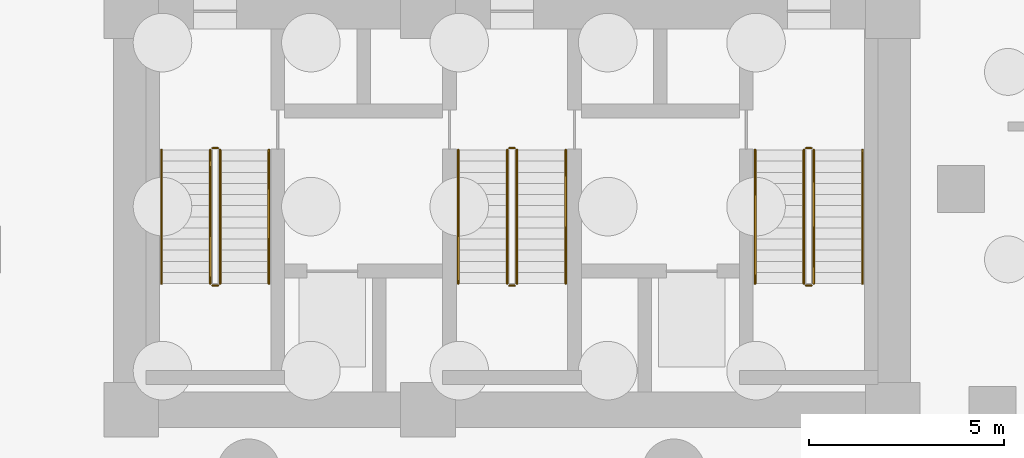
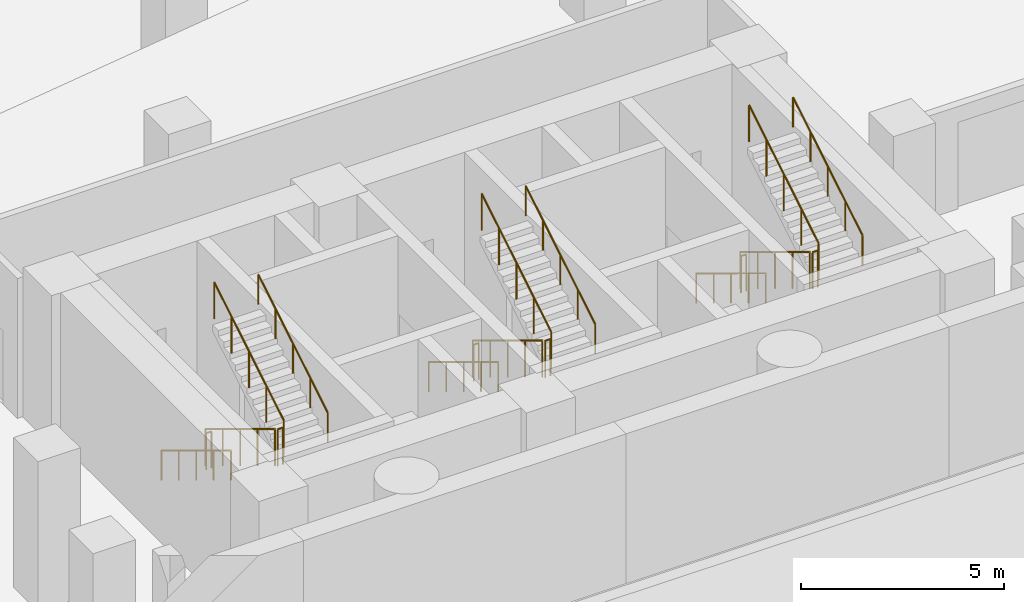
# One storey, part 4 of 5: 18 railings.
"""IFC4 building model written with IfcOpenShell, lengths in metres."""

from ifc_helpers import new_model, si_unit, direction, frame, origin, origin_2d, place, context, subcontext, project, spatial, circle, extrude, material, type_object, element, save


model = new_model("IFC4")

# Units and contexts
model_context = context("Model", 3, precision=1e-05, world=origin(), true_north=direction((0.0, 1.0)))
body_context = subcontext(model_context, "Body", "Model", "MODEL_VIEW")
ifc_project = project(units=[si_unit("LENGTHUNIT", "METRE"), si_unit("AREAUNIT", "SQUARE_METRE"), si_unit("VOLUMEUNIT", "CUBIC_METRE"), si_unit("PLANEANGLEUNIT", "RADIAN"), si_unit("MASSUNIT", "GRAM", prefix="KILO")], contexts=[model_context])

# Site, building, storey
site_placement = place(None, origin())
site = spatial("IfcSite", under=ifc_project, at=site_placement, CompositionType="ELEMENT")
building_placement = place(site_placement, origin())
building = spatial("IfcBuilding", under=site, at=building_placement, Name="Almagre Mirador Tower", CompositionType="ELEMENT")
storey_placement = place(building_placement, frame((0.0, 0.0, -9.0)))
storey = spatial("IfcBuildingStorey", under=building, at=storey_placement, Name="B02", CompositionType="ELEMENT", Elevation=-9.0)

# Railings
ifc_material_1 = material(Name="Painted galvanized steel", Category="steel")
railing_type_1 = type_object("IfcRailingType", Name="RLG-GRD-1100", PredefinedType="GUARDRAIL", material=ifc_material_1)
railing_1_placement = place(storey_placement, frame((29.574951171875, 11.199951171875, 0.173095703125)))
element("IfcRailing", 1, at=railing_1_placement, inside=storey, type_object=railing_type_1, Name="B02 ST-1 stair guard 1", PredefinedType="GUARDRAIL", context=body_context, shape_type="SweptSolid", body=[
    extrude(circle(Radius=0.02392578125, at=origin_2d()), frame((0.0, 0.0, 1.09619140625), z_axis=(0.0, -0.854729506542, 0.519073665916), x_axis=(1.0, 0.0, 0.0)), (0.0, 0.0, 1.0), 4.001220703125),
    extrude(circle(Radius=0.02099609375, at=origin_2d()), origin(), (0.0, 0.0, 1.0), 1.072021484375),
    extrude(circle(Radius=0.02099609375, at=origin_2d()), frame((0.0, -0.85498046875, 0.519287109375)), (0.0, 0.0, 1.0), 1.072021484375),
    extrude(circle(Radius=0.02099609375, at=origin_2d()), frame((0.0, -1.7099609375, 1.03857421875)), (0.0, 0.0, 1.0), 1.072021484375),
    extrude(circle(Radius=0.02099609375, at=origin_2d()), frame((0.0, -2.56494140625, 1.5576171875)), (0.0, 0.0, 1.0), 1.072021484375),
    extrude(circle(Radius=0.02099609375, at=origin_2d()), frame((0.0, -3.419921875, 2.076904296875)), (0.0, 0.0, 1.0), 1.072021484375),
])
railing_2_placement = place(storey_placement, frame((29.625, 7.72998046875, 2.25)))
element("IfcRailing", 2, at=railing_2_placement, inside=storey, type_object=railing_type_1, Name="B02 ST-1 stair guard 2", PredefinedType="GUARDRAIL", context=body_context, shape_type="SweptSolid", body=[
    extrude(circle(Radius=0.02392578125, at=origin_2d()), frame((0.0, 0.0, 1.09619140625), z_axis=(1.0, 0.0, 0.0), x_axis=(0.0, 1.0, 0.0)), (0.0, 0.0, 1.0), 0.14990234375),
    extrude(circle(Radius=0.02099609375, at=origin_2d()), origin(), (0.0, 0.0, 1.0), 1.072021484375),
    extrude(circle(Radius=0.02099609375, at=origin_2d()), frame((0.14990234375, 0.0, 0.0)), (0.0, 0.0, 1.0), 1.072021484375),
])
railing_3_placement = place(storey_placement, frame((29.824951171875, 7.780029296875, 2.423095703125)))
element("IfcRailing", 3, at=railing_3_placement, inside=storey, type_object=railing_type_1, Name="B02 ST-1 stair guard 3", PredefinedType="GUARDRAIL", context=body_context, shape_type="SweptSolid", body=[
    extrude(circle(Radius=0.02392578125, at=origin_2d()), frame((0.0, 0.0, 1.09619140625), z_axis=(0.0, 0.854729506542, 0.519073665916), x_axis=(-1.0, 0.0, 0.0)), (0.0, 0.0, 1.0), 4.001220703125),
    extrude(circle(Radius=0.02099609375, at=origin_2d()), origin(), (0.0, 0.0, 1.0), 1.072021484375),
    extrude(circle(Radius=0.02099609375, at=origin_2d()), frame((0.0, 0.85498046875, 0.519287109375)), (0.0, 0.0, 1.0), 1.072021484375),
    extrude(circle(Radius=0.02099609375, at=origin_2d()), frame((0.0, 1.7099609375, 1.03857421875)), (0.0, 0.0, 1.0), 1.072021484375),
    extrude(circle(Radius=0.02099609375, at=origin_2d()), frame((0.0, 2.56494140625, 1.5576171875)), (0.0, 0.0, 1.0), 1.072021484375),
    extrude(circle(Radius=0.02099609375, at=origin_2d()), frame((0.0, 3.419921875, 2.076904296875)), (0.0, 0.0, 1.0), 1.072021484375),
])
railing_4_placement = place(storey_placement, frame((29.625, 11.25, 0.0)))
element("IfcRailing", 4, at=railing_4_placement, inside=storey, type_object=railing_type_1, Name="B02 ST-1 stair guard 4", PredefinedType="GUARDRAIL", context=body_context, shape_type="SweptSolid", body=[
    extrude(circle(Radius=0.02392578125, at=origin_2d()), frame((0.0, 0.0, 1.09619140625), z_axis=(1.0, 0.0, 0.0), x_axis=(0.0, 1.0, 0.0)), (0.0, 0.0, 1.0), 0.14990234375),
    extrude(circle(Radius=0.02099609375, at=origin_2d()), origin(), (0.0, 0.0, 1.0), 1.072021484375),
    extrude(circle(Radius=0.02099609375, at=origin_2d()), frame((0.14990234375, 0.0, 0.0)), (0.0, 0.0, 1.0), 1.072021484375),
])
railing_5_placement = place(storey_placement, frame((37.175048828125, 11.199951171875, 0.173095703125)))
element("IfcRailing", 5, at=railing_5_placement, inside=storey, type_object=railing_type_1, Name="B02 ST-2 stair guard 1", PredefinedType="GUARDRAIL", context=body_context, shape_type="SweptSolid", body=[
    extrude(circle(Radius=0.02392578125, at=origin_2d()), frame((0.0, 0.0, 1.09619140625), z_axis=(0.0, -0.854729506542, 0.519073665916), x_axis=(1.0, 0.0, 0.0)), (0.0, 0.0, 1.0), 4.001220703125),
    extrude(circle(Radius=0.02099609375, at=origin_2d()), origin(), (0.0, 0.0, 1.0), 1.072021484375),
    extrude(circle(Radius=0.02099609375, at=origin_2d()), frame((0.0, -0.85498046875, 0.519287109375)), (0.0, 0.0, 1.0), 1.072021484375),
    extrude(circle(Radius=0.02099609375, at=origin_2d()), frame((0.0, -1.7099609375, 1.03857421875)), (0.0, 0.0, 1.0), 1.072021484375),
    extrude(circle(Radius=0.02099609375, at=origin_2d()), frame((0.0, -2.56494140625, 1.5576171875)), (0.0, 0.0, 1.0), 1.072021484375),
    extrude(circle(Radius=0.02099609375, at=origin_2d()), frame((0.0, -3.419921875, 2.076904296875)), (0.0, 0.0, 1.0), 1.072021484375),
])
railing_6_placement = place(storey_placement, frame((37.22509765625, 7.72998046875, 2.25)))
element("IfcRailing", 6, at=railing_6_placement, inside=storey, type_object=railing_type_1, Name="B02 ST-2 stair guard 2", PredefinedType="GUARDRAIL", context=body_context, shape_type="SweptSolid", body=[
    extrude(circle(Radius=0.02392578125, at=origin_2d()), frame((0.0, 0.0, 1.09619140625), z_axis=(1.0, 0.0, 0.0), x_axis=(0.0, 1.0, 0.0)), (0.0, 0.0, 1.0), 0.14990234375),
    extrude(circle(Radius=0.02099609375, at=origin_2d()), origin(), (0.0, 0.0, 1.0), 1.072021484375),
    extrude(circle(Radius=0.02099609375, at=origin_2d()), frame((0.14990234375, 0.0, 0.0)), (0.0, 0.0, 1.0), 1.072021484375),
])
railing_7_placement = place(storey_placement, frame((37.425048828125, 7.780029296875, 2.423095703125)))
element("IfcRailing", 7, at=railing_7_placement, inside=storey, type_object=railing_type_1, Name="B02 ST-2 stair guard 3", PredefinedType="GUARDRAIL", context=body_context, shape_type="SweptSolid", body=[
    extrude(circle(Radius=0.02392578125, at=origin_2d()), frame((0.0, 0.0, 1.09619140625), z_axis=(0.0, 0.854729506542, 0.519073665916), x_axis=(-1.0, 0.0, 0.0)), (0.0, 0.0, 1.0), 4.001220703125),
    extrude(circle(Radius=0.02099609375, at=origin_2d()), origin(), (0.0, 0.0, 1.0), 1.072021484375),
    extrude(circle(Radius=0.02099609375, at=origin_2d()), frame((0.0, 0.85498046875, 0.519287109375)), (0.0, 0.0, 1.0), 1.072021484375),
    extrude(circle(Radius=0.02099609375, at=origin_2d()), frame((0.0, 1.7099609375, 1.03857421875)), (0.0, 0.0, 1.0), 1.072021484375),
    extrude(circle(Radius=0.02099609375, at=origin_2d()), frame((0.0, 2.56494140625, 1.5576171875)), (0.0, 0.0, 1.0), 1.072021484375),
    extrude(circle(Radius=0.02099609375, at=origin_2d()), frame((0.0, 3.419921875, 2.076904296875)), (0.0, 0.0, 1.0), 1.072021484375),
])
railing_8_placement = place(storey_placement, frame((37.22509765625, 11.25, 0.0)))
element("IfcRailing", 8, at=railing_8_placement, inside=storey, type_object=railing_type_1, Name="B02 ST-2 stair guard 4", PredefinedType="GUARDRAIL", context=body_context, shape_type="SweptSolid", body=[
    extrude(circle(Radius=0.02392578125, at=origin_2d()), frame((0.0, 0.0, 1.09619140625), z_axis=(1.0, 0.0, 0.0), x_axis=(0.0, 1.0, 0.0)), (0.0, 0.0, 1.0), 0.14990234375),
    extrude(circle(Radius=0.02099609375, at=origin_2d()), origin(), (0.0, 0.0, 1.0), 1.072021484375),
    extrude(circle(Radius=0.02099609375, at=origin_2d()), frame((0.14990234375, 0.0, 0.0)), (0.0, 0.0, 1.0), 1.072021484375),
])
railing_9_placement = place(storey_placement, frame((44.77490234375, 11.199951171875, 0.173095703125)))
element("IfcRailing", 9, at=railing_9_placement, inside=storey, type_object=railing_type_1, Name="B02 ST-3 stair guard 1", PredefinedType="GUARDRAIL", context=body_context, shape_type="SweptSolid", body=[
    extrude(circle(Radius=0.02392578125, at=origin_2d()), frame((0.0, 0.0, 1.09619140625), z_axis=(0.0, -0.854729506542, 0.519073665916), x_axis=(1.0, 0.0, 0.0)), (0.0, 0.0, 1.0), 4.001220703125),
    extrude(circle(Radius=0.02099609375, at=origin_2d()), origin(), (0.0, 0.0, 1.0), 1.072021484375),
    extrude(circle(Radius=0.02099609375, at=origin_2d()), frame((0.0, -0.85498046875, 0.519287109375)), (0.0, 0.0, 1.0), 1.072021484375),
    extrude(circle(Radius=0.02099609375, at=origin_2d()), frame((0.0, -1.7099609375, 1.03857421875)), (0.0, 0.0, 1.0), 1.072021484375),
    extrude(circle(Radius=0.02099609375, at=origin_2d()), frame((0.0, -2.56494140625, 1.5576171875)), (0.0, 0.0, 1.0), 1.072021484375),
    extrude(circle(Radius=0.02099609375, at=origin_2d()), frame((0.0, -3.419921875, 2.076904296875)), (0.0, 0.0, 1.0), 1.072021484375),
])
railing_10_placement = place(storey_placement, frame((44.824951171875, 7.72998046875, 2.25)))
element("IfcRailing", 10, at=railing_10_placement, inside=storey, type_object=railing_type_1, Name="B02 ST-3 stair guard 2", PredefinedType="GUARDRAIL", context=body_context, shape_type="SweptSolid", body=[
    extrude(circle(Radius=0.02392578125, at=origin_2d()), frame((0.0, 0.0, 1.09619140625), z_axis=(1.0, 0.0, 0.0), x_axis=(0.0, 1.0, 0.0)), (0.0, 0.0, 1.0), 0.150146484375),
    extrude(circle(Radius=0.02099609375, at=origin_2d()), origin(), (0.0, 0.0, 1.0), 1.072021484375),
    extrude(circle(Radius=0.02099609375, at=origin_2d()), frame((0.150146484375, 0.0, 0.0)), (0.0, 0.0, 1.0), 1.072021484375),
])
railing_11_placement = place(storey_placement, frame((45.02490234375, 7.780029296875, 2.423095703125)))
element("IfcRailing", 11, at=railing_11_placement, inside=storey, type_object=railing_type_1, Name="B02 ST-3 stair guard 3", PredefinedType="GUARDRAIL", context=body_context, shape_type="SweptSolid", body=[
    extrude(circle(Radius=0.02392578125, at=origin_2d()), frame((0.0, 0.0, 1.09619140625), z_axis=(0.0, 0.854729506542, 0.519073665916), x_axis=(-1.0, 0.0, 0.0)), (0.0, 0.0, 1.0), 4.001220703125),
    extrude(circle(Radius=0.02099609375, at=origin_2d()), origin(), (0.0, 0.0, 1.0), 1.072021484375),
    extrude(circle(Radius=0.02099609375, at=origin_2d()), frame((0.0, 0.85498046875, 0.519287109375)), (0.0, 0.0, 1.0), 1.072021484375),
    extrude(circle(Radius=0.02099609375, at=origin_2d()), frame((0.0, 1.7099609375, 1.03857421875)), (0.0, 0.0, 1.0), 1.072021484375),
    extrude(circle(Radius=0.02099609375, at=origin_2d()), frame((0.0, 2.56494140625, 1.5576171875)), (0.0, 0.0, 1.0), 1.072021484375),
    extrude(circle(Radius=0.02099609375, at=origin_2d()), frame((0.0, 3.419921875, 2.076904296875)), (0.0, 0.0, 1.0), 1.072021484375),
])
railing_12_placement = place(storey_placement, frame((44.824951171875, 11.25, 0.0)))
element("IfcRailing", 12, at=railing_12_placement, inside=storey, type_object=railing_type_1, Name="B02 ST-3 stair guard 4", PredefinedType="GUARDRAIL", context=body_context, shape_type="SweptSolid", body=[
    extrude(circle(Radius=0.02392578125, at=origin_2d()), frame((0.0, 0.0, 1.09619140625), z_axis=(1.0, 0.0, 0.0), x_axis=(0.0, 1.0, 0.0)), (0.0, 0.0, 1.0), 0.150146484375),
    extrude(circle(Radius=0.02099609375, at=origin_2d()), origin(), (0.0, 0.0, 1.0), 1.072021484375),
    extrude(circle(Radius=0.02099609375, at=origin_2d()), frame((0.150146484375, 0.0, 0.0)), (0.0, 0.0, 1.0), 1.072021484375),
])
ifc_material_2 = material(Name="Brushed stainless steel", Category="steel")
railing_type_2 = type_object("IfcRailingType", Name="RLG-HND-915", PredefinedType="HANDRAIL", material=ifc_material_2)
railing_13_placement = place(storey_placement, frame((28.324951171875, 11.199951171875, 0.173095703125)))
element("IfcRailing", 13, at=railing_13_placement, inside=storey, type_object=railing_type_2, Name="B02 ST-1 stair handrail 1", PredefinedType="HANDRAIL", context=body_context, shape_type="SweptSolid", body=[
    extrude(circle(Radius=0.02392578125, at=origin_2d()), frame((0.0, 0.0, 0.89111328125), z_axis=(0.0, -0.854729506542, 0.519073665916), x_axis=(1.0, 0.0, 0.0)), (0.0, 0.0, 1.0), 4.001220703125),
    extrude(circle(Radius=0.02099609375, at=origin_2d()), origin(), (0.0, 0.0, 1.0), 0.866943359375),
    extrude(circle(Radius=0.02099609375, at=origin_2d()), frame((0.0, -0.85498046875, 0.519287109375)), (0.0, 0.0, 1.0), 0.866943359375),
    extrude(circle(Radius=0.02099609375, at=origin_2d()), frame((0.0, -1.7099609375, 1.03857421875)), (0.0, 0.0, 1.0), 0.866943359375),
    extrude(circle(Radius=0.02099609375, at=origin_2d()), frame((0.0, -2.56494140625, 1.5576171875)), (0.0, 0.0, 1.0), 0.866943359375),
    extrude(circle(Radius=0.02099609375, at=origin_2d()), frame((0.0, -3.419921875, 2.076904296875)), (0.0, 0.0, 1.0), 0.866943359375),
])
railing_14_placement = place(storey_placement, frame((31.074951171875, 7.780029296875, 2.423095703125)))
element("IfcRailing", 14, at=railing_14_placement, inside=storey, type_object=railing_type_2, Name="B02 ST-1 stair handrail 2", PredefinedType="HANDRAIL", context=body_context, shape_type="SweptSolid", body=[
    extrude(circle(Radius=0.02392578125, at=origin_2d()), frame((0.0, 0.0, 0.89111328125), z_axis=(0.0, 0.854729506542, 0.519073665916), x_axis=(-1.0, 0.0, 0.0)), (0.0, 0.0, 1.0), 4.001220703125),
    extrude(circle(Radius=0.02099609375, at=origin_2d()), origin(), (0.0, 0.0, 1.0), 0.866943359375),
    extrude(circle(Radius=0.02099609375, at=origin_2d()), frame((0.0, 0.85498046875, 0.519287109375)), (0.0, 0.0, 1.0), 0.866943359375),
    extrude(circle(Radius=0.02099609375, at=origin_2d()), frame((0.0, 1.7099609375, 1.03857421875)), (0.0, 0.0, 1.0), 0.866943359375),
    extrude(circle(Radius=0.02099609375, at=origin_2d()), frame((0.0, 2.56494140625, 1.5576171875)), (0.0, 0.0, 1.0), 0.866943359375),
    extrude(circle(Radius=0.02099609375, at=origin_2d()), frame((0.0, 3.419921875, 2.076904296875)), (0.0, 0.0, 1.0), 0.866943359375),
])
railing_15_placement = place(storey_placement, frame((35.925048828125, 11.199951171875, 0.173095703125)))
element("IfcRailing", 15, at=railing_15_placement, inside=storey, type_object=railing_type_2, Name="B02 ST-2 stair handrail 1", PredefinedType="HANDRAIL", context=body_context, shape_type="SweptSolid", body=[
    extrude(circle(Radius=0.02392578125, at=origin_2d()), frame((0.0, 0.0, 0.89111328125), z_axis=(0.0, -0.854729506542, 0.519073665916), x_axis=(1.0, 0.0, 0.0)), (0.0, 0.0, 1.0), 4.001220703125),
    extrude(circle(Radius=0.02099609375, at=origin_2d()), origin(), (0.0, 0.0, 1.0), 0.866943359375),
    extrude(circle(Radius=0.02099609375, at=origin_2d()), frame((0.0, -0.85498046875, 0.519287109375)), (0.0, 0.0, 1.0), 0.866943359375),
    extrude(circle(Radius=0.02099609375, at=origin_2d()), frame((0.0, -1.7099609375, 1.03857421875)), (0.0, 0.0, 1.0), 0.866943359375),
    extrude(circle(Radius=0.02099609375, at=origin_2d()), frame((0.0, -2.56494140625, 1.5576171875)), (0.0, 0.0, 1.0), 0.866943359375),
    extrude(circle(Radius=0.02099609375, at=origin_2d()), frame((0.0, -3.419921875, 2.076904296875)), (0.0, 0.0, 1.0), 0.866943359375),
])
railing_16_placement = place(storey_placement, frame((38.675048828125, 7.780029296875, 2.423095703125)))
element("IfcRailing", 16, at=railing_16_placement, inside=storey, type_object=railing_type_2, Name="B02 ST-2 stair handrail 2", PredefinedType="HANDRAIL", context=body_context, shape_type="SweptSolid", body=[
    extrude(circle(Radius=0.02392578125, at=origin_2d()), frame((0.0, 0.0, 0.89111328125), z_axis=(0.0, 0.854729506542, 0.519073665916), x_axis=(-1.0, 0.0, 0.0)), (0.0, 0.0, 1.0), 4.001220703125),
    extrude(circle(Radius=0.02099609375, at=origin_2d()), origin(), (0.0, 0.0, 1.0), 0.866943359375),
    extrude(circle(Radius=0.02099609375, at=origin_2d()), frame((0.0, 0.85498046875, 0.519287109375)), (0.0, 0.0, 1.0), 0.866943359375),
    extrude(circle(Radius=0.02099609375, at=origin_2d()), frame((0.0, 1.7099609375, 1.03857421875)), (0.0, 0.0, 1.0), 0.866943359375),
    extrude(circle(Radius=0.02099609375, at=origin_2d()), frame((0.0, 2.56494140625, 1.5576171875)), (0.0, 0.0, 1.0), 0.866943359375),
    extrude(circle(Radius=0.02099609375, at=origin_2d()), frame((0.0, 3.419921875, 2.076904296875)), (0.0, 0.0, 1.0), 0.866943359375),
])
railing_17_placement = place(storey_placement, frame((43.52490234375, 11.199951171875, 0.173095703125)))
element("IfcRailing", 17, at=railing_17_placement, inside=storey, type_object=railing_type_2, Name="B02 ST-3 stair handrail 1", PredefinedType="HANDRAIL", context=body_context, shape_type="SweptSolid", body=[
    extrude(circle(Radius=0.02392578125, at=origin_2d()), frame((0.0, 0.0, 0.89111328125), z_axis=(0.0, -0.854729506542, 0.519073665916), x_axis=(1.0, 0.0, 0.0)), (0.0, 0.0, 1.0), 4.001220703125),
    extrude(circle(Radius=0.02099609375, at=origin_2d()), origin(), (0.0, 0.0, 1.0), 0.866943359375),
    extrude(circle(Radius=0.02099609375, at=origin_2d()), frame((0.0, -0.85498046875, 0.519287109375)), (0.0, 0.0, 1.0), 0.866943359375),
    extrude(circle(Radius=0.02099609375, at=origin_2d()), frame((0.0, -1.7099609375, 1.03857421875)), (0.0, 0.0, 1.0), 0.866943359375),
    extrude(circle(Radius=0.02099609375, at=origin_2d()), frame((0.0, -2.56494140625, 1.5576171875)), (0.0, 0.0, 1.0), 0.866943359375),
    extrude(circle(Radius=0.02099609375, at=origin_2d()), frame((0.0, -3.419921875, 2.076904296875)), (0.0, 0.0, 1.0), 0.866943359375),
])
railing_18_placement = place(storey_placement, frame((46.27490234375, 7.780029296875, 2.423095703125)))
element("IfcRailing", 18, at=railing_18_placement, inside=storey, type_object=railing_type_2, Name="B02 ST-3 stair handrail 2", PredefinedType="HANDRAIL", context=body_context, shape_type="SweptSolid", body=[
    extrude(circle(Radius=0.02392578125, at=origin_2d()), frame((0.0, 0.0, 0.89111328125), z_axis=(0.0, 0.854729506542, 0.519073665916), x_axis=(-1.0, 0.0, 0.0)), (0.0, 0.0, 1.0), 4.001220703125),
    extrude(circle(Radius=0.02099609375, at=origin_2d()), origin(), (0.0, 0.0, 1.0), 0.866943359375),
    extrude(circle(Radius=0.02099609375, at=origin_2d()), frame((0.0, 0.85498046875, 0.519287109375)), (0.0, 0.0, 1.0), 0.866943359375),
    extrude(circle(Radius=0.02099609375, at=origin_2d()), frame((0.0, 1.7099609375, 1.03857421875)), (0.0, 0.0, 1.0), 0.866943359375),
    extrude(circle(Radius=0.02099609375, at=origin_2d()), frame((0.0, 2.56494140625, 1.5576171875)), (0.0, 0.0, 1.0), 0.866943359375),
    extrude(circle(Radius=0.02099609375, at=origin_2d()), frame((0.0, 3.419921875, 2.076904296875)), (0.0, 0.0, 1.0), 0.866943359375),
])

save(model, "model.ifc")
